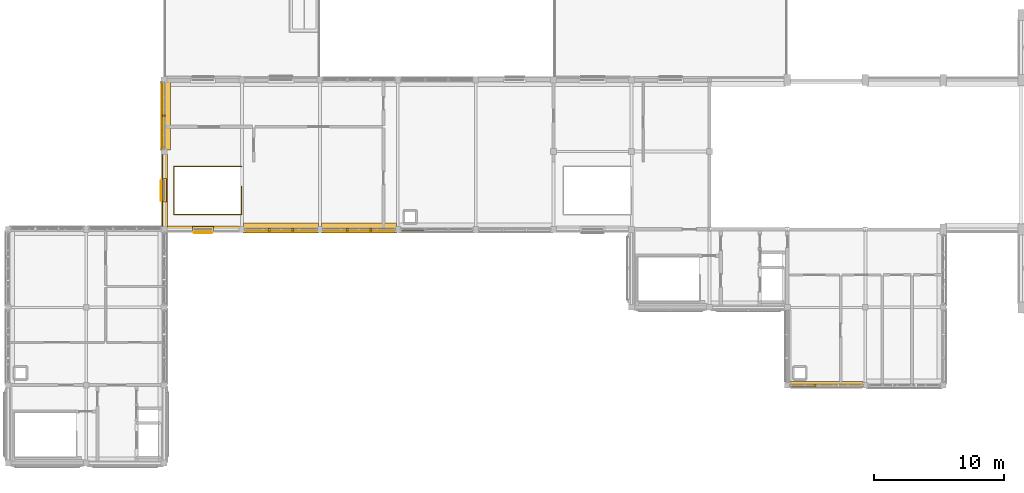
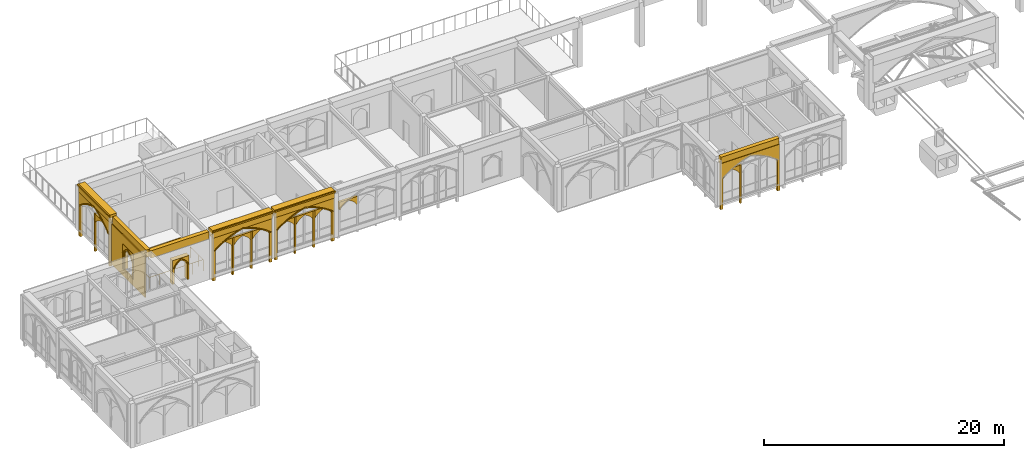
# One storey, part 49 of 59: 36 coverings, 1 railing.
"""IFC4 building model written with IfcOpenShell, lengths in metres."""

from ifc_helpers import new_model, si_unit, direction, frame, origin, origin_2d, place, context, subcontext, project, spatial, polyline, rectangle, circle, outline, extrude, material, type_object, element, save


model = new_model("IFC4")

# Units and contexts
model_context = context("Model", 3, precision=1e-05, world=origin(), true_north=direction((0.0, 1.0)))
body_context = subcontext(model_context, "Body", "Model", "MODEL_VIEW")
ifc_project = project(units=[si_unit("LENGTHUNIT", "METRE"), si_unit("AREAUNIT", "SQUARE_METRE"), si_unit("VOLUMEUNIT", "CUBIC_METRE"), si_unit("PLANEANGLEUNIT", "RADIAN"), si_unit("MASSUNIT", "GRAM", prefix="KILO")], contexts=[model_context])

# Site, building, storey
site_placement = place(None, origin())
site = spatial("IfcSite", under=ifc_project, at=site_placement, CompositionType="ELEMENT")
building_placement = place(site_placement, origin())
building = spatial("IfcBuilding", under=site, at=building_placement, Name="Cumevento Cable Car Station", CompositionType="ELEMENT")
storey_placement = place(building_placement, frame((0.0, 0.0, 18.0)))
storey = spatial("IfcBuildingStorey", under=building, at=storey_placement, Name="L05", CompositionType="ELEMENT", Elevation=18.0)

# Railing
ifc_material_1 = material(Name="Painted Galvanised Architectural Steel", Category="steel")
railing_type = type_object("IfcRailingType", Name="Stair Guardrail GR-S115", PredefinedType="GUARDRAIL", material=ifc_material_1)
railing_placement = place(storey_placement, frame((27.949951171875, 48.300048828125, 0.0)))
element("IfcRailing", 1, at=railing_placement, inside=storey, type_object=railing_type, Name="Stairwell Opening Rim Guard ST-12 L05", PredefinedType="GUARDRAIL", context=body_context, shape_type="SweptSolid", body=[
    extrude(circle(Radius=0.02392578125, at=origin_2d()), frame((0.0, 0.0, 1.1259765625), z_axis=(0.0, -1.0, 0.0), x_axis=(1.0, 0.0, 0.0)), (0.0, 0.0, 1.0), 2.150146484375),
    extrude(circle(Radius=0.02392578125, at=origin_2d()), frame((0.0, -2.150146484375, 1.1259765625), z_axis=(-1.0, 0.0, 0.0), x_axis=(0.0, -1.0, 0.0)), (0.0, 0.0, 1.0), 5.199951171875),
    extrude(circle(Radius=0.02392578125, at=origin_2d()), frame((-5.199951171875, -2.150146484375, 1.1259765625), z_axis=(0.0, 1.0, 0.0), x_axis=(-1.0, 0.0, 0.0)), (0.0, 0.0, 1.0), 3.7001953125),
    extrude(circle(Radius=0.02392578125, at=origin_2d()), frame((-5.199951171875, 1.550048828125, 1.1259765625), z_axis=(1.0, 0.0, 0.0), x_axis=(0.0, 1.0, 0.0)), (0.0, 0.0, 1.0), 5.199951171875),
    extrude(circle(Radius=0.02001953125, at=origin_2d()), origin(), (0.0, 0.0, 1.0), 1.101806640625),
    extrude(circle(Radius=0.02001953125, at=origin_2d()), frame((0.0, -0.716796875, 0.0)), (0.0, 0.0, 1.0), 1.101806640625),
    extrude(circle(Radius=0.02001953125, at=origin_2d()), frame((0.0, -1.433349609375, 0.0)), (0.0, 0.0, 1.0), 1.101806640625),
    extrude(circle(Radius=0.02001953125, at=origin_2d()), frame((0.0, -2.150146484375, 0.0)), (0.0, 0.0, 1.0), 1.101806640625),
    extrude(circle(Radius=0.02001953125, at=origin_2d()), frame((-1.0400390625, -2.150146484375, 0.0)), (0.0, 0.0, 1.0), 1.101806640625),
    extrude(circle(Radius=0.02001953125, at=origin_2d()), frame((-2.080078125, -2.150146484375, 0.0)), (0.0, 0.0, 1.0), 1.101806640625),
    extrude(circle(Radius=0.02001953125, at=origin_2d()), frame((-3.119873046875, -2.150146484375, 0.0)), (0.0, 0.0, 1.0), 1.101806640625),
    extrude(circle(Radius=0.02001953125, at=origin_2d()), frame((-4.159912109375, -2.150146484375, 0.0)), (0.0, 0.0, 1.0), 1.101806640625),
    extrude(circle(Radius=0.02001953125, at=origin_2d()), frame((-5.199951171875, -2.150146484375, 0.0)), (0.0, 0.0, 1.0), 1.101806640625),
    extrude(circle(Radius=0.02001953125, at=origin_2d()), frame((-5.199951171875, -1.22509765625, 0.0)), (0.0, 0.0, 1.0), 1.101806640625),
    extrude(circle(Radius=0.02001953125, at=origin_2d()), frame((-5.199951171875, -0.300048828125, 0.0)), (0.0, 0.0, 1.0), 1.101806640625),
    extrude(circle(Radius=0.02001953125, at=origin_2d()), frame((-5.199951171875, 0.625, 0.0)), (0.0, 0.0, 1.0), 1.101806640625),
    extrude(circle(Radius=0.02001953125, at=origin_2d()), frame((-5.199951171875, 1.550048828125, 0.0)), (0.0, 0.0, 1.0), 1.101806640625),
    extrude(circle(Radius=0.02001953125, at=origin_2d()), frame((-4.159912109375, 1.550048828125, 0.0)), (0.0, 0.0, 1.0), 1.101806640625),
    extrude(circle(Radius=0.02001953125, at=origin_2d()), frame((-3.119873046875, 1.550048828125, 0.0)), (0.0, 0.0, 1.0), 1.101806640625),
    extrude(circle(Radius=0.02001953125, at=origin_2d()), frame((-2.080078125, 1.550048828125, 0.0)), (0.0, 0.0, 1.0), 1.101806640625),
    extrude(circle(Radius=0.02001953125, at=origin_2d()), frame((-1.0400390625, 1.550048828125, 0.0)), (0.0, 0.0, 1.0), 1.101806640625),
    extrude(circle(Radius=0.02001953125, at=origin_2d()), frame((0.0, 1.550048828125, 0.0)), (0.0, 0.0, 1.0), 1.101806640625),
])

# Coverings
ifc_material_2 = material(Name="Gnaisse Facoidal Stone Ashlar 85 MPa", Category="masonry")
covering_type = type_object("IfcCoveringType", Name="Gnaisse Ashlar Cladding CV-CL01", PredefinedType="CLADDING", material=ifc_material_2)
for number, where, z_axis, x_axis, name in (
    (2, (73.0, 33.090087890625, 4.032958984375), (0.0, 0.0, 1.0), (-1.0, 0.0, 0.0), "Gothic Stone Spandrel Stringcourse sc:0781"),
    (3, (25.0, 45.090087890625, 4.032958984375), (0.0, 0.0, 1.0), (-1.0, 0.0, 0.0), "Gothic Stone Spandrel Stringcourse sc:0796"),
):
    element("IfcCovering", number, at=place(storey_placement, frame(where, z_axis=z_axis, x_axis=x_axis)), inside=storey, type_object=covering_type, Name=name, PredefinedType="CLADDING", context=body_context, shape_type="SweptSolid", body=[
        extrude(rectangle(XDim=5.610107421875, YDim=0.3798828125, at=origin_2d()), origin(), (0.0, 0.0, 1.0), 0.7470703125),
    ])
covering_1_placement = place(storey_placement, frame((31.0, 45.14990234375, 4.032958984375), z_axis=(0.0, 0.0, 1.0), x_axis=(-1.0, 0.0, 0.0)))
element("IfcCovering", 4, at=covering_1_placement, inside=storey, type_object=covering_type, Name="Gothic Stone Spandrel Stringcourse sc:0797", PredefinedType="CLADDING", context=body_context, shape_type="SweptSolid", body=[
    extrude(rectangle(XDim=5.7900390625, YDim=0.659912109375, at=origin_2d()), origin(), (0.0, 0.0, 1.0), 0.7470703125),
])
covering_2_placement = place(storey_placement, frame((31.0, 44.79248046875, 4.650146484375), z_axis=(0.0, 0.0, 1.0), x_axis=(-1.0, 0.0, 0.0)))
element("IfcCovering", 5, at=covering_2_placement, inside=storey, type_object=covering_type, Name="Gothic Cornice Dripstone Lip sc:0797", PredefinedType="CLADDING", context=body_context, shape_type="SweptSolid", body=[
    extrude(rectangle(XDim=5.830078125, YDim=0.114990234375, at=origin_2d()), origin(), (0.0, 0.0, 1.0), 0.1298828125),
])
covering_3_placement = place(storey_placement, frame((37.0, 45.14990234375, 4.032958984375), z_axis=(0.0, 0.0, 1.0), x_axis=(-1.0, 0.0, 0.0)))
element("IfcCovering", 6, at=covering_3_placement, inside=storey, type_object=covering_type, Name="Gothic Stone Spandrel Stringcourse sc:0798", PredefinedType="CLADDING", context=body_context, shape_type="SweptSolid", body=[
    extrude(rectangle(XDim=5.7900390625, YDim=0.659912109375, at=origin_2d()), origin(), (0.0, 0.0, 1.0), 0.7470703125),
])
covering_4_placement = place(storey_placement, frame((37.0, 44.79248046875, 4.650146484375), z_axis=(0.0, 0.0, 1.0), x_axis=(-1.0, 0.0, 0.0)))
element("IfcCovering", 7, at=covering_4_placement, inside=storey, type_object=covering_type, Name="Gothic Cornice Dripstone Lip sc:0798", PredefinedType="CLADDING", context=body_context, shape_type="SweptSolid", body=[
    extrude(rectangle(XDim=5.830078125, YDim=0.114990234375, at=origin_2d()), origin(), (0.0, 0.0, 1.0), 0.1298828125),
])
covering_5_placement = place(storey_placement, frame((22.090087890625, 48.0, 4.032958984375), z_axis=(0.0, 0.0, 1.0), x_axis=(0.0, 1.0, 0.0)))
element("IfcCovering", 8, at=covering_5_placement, inside=storey, type_object=covering_type, Name="Gothic Stone Spandrel Stringcourse sc:0806", PredefinedType="CLADDING", context=body_context, shape_type="SweptSolid", body=[
    extrude(rectangle(XDim=5.610107421875, YDim=0.3798828125, at=origin_2d()), origin(), (0.0, 0.0, 1.0), 0.7470703125),
])
covering_6_placement = place(storey_placement, frame((22.14990234375, 53.75, 4.032958984375), z_axis=(0.0, 0.0, 1.0), x_axis=(0.0, 1.0, 0.0)))
element("IfcCovering", 9, at=covering_6_placement, inside=storey, type_object=covering_type, Name="Gothic Stone Spandrel Stringcourse sc:0807", PredefinedType="CLADDING", context=body_context, shape_type="SweptSolid", body=[
    extrude(rectangle(XDim=5.2900390625, YDim=0.659912109375, at=origin_2d()), origin(), (0.0, 0.0, 1.0), 0.7470703125),
])
covering_7_placement = place(storey_placement, frame((21.79248046875, 53.75, 4.650146484375), z_axis=(0.0, 0.0, 1.0), x_axis=(0.0, 1.0, 0.0)))
element("IfcCovering", 10, at=covering_7_placement, inside=storey, type_object=covering_type, Name="Gothic Cornice Dripstone Lip sc:0807", PredefinedType="CLADDING", context=body_context, shape_type="SweptSolid", body=[
    extrude(rectangle(XDim=5.330078125, YDim=0.114990234375, at=origin_2d()), origin(), (0.0, 0.0, 1.0), 0.1298828125),
])
placement_1 = place(storey_placement, frame((75.77490234375, 33.0, -0.52001953125), z_axis=(0.0, 0.0, 1.0), x_axis=(-1.0, 0.0, 0.0)))
element("IfcCovering", 11, at=placement_1, inside=storey, type_object=covering_type, Name="Gothic Ogival Pointed-Arch Stone Spandrel cw_ogival:0192", PredefinedType="CLADDING", context=body_context, shape_type="SweptSolid", body=[
    extrude(outline(polyline([(-0.080078125, 0.0), (-0.080078125, 4.693115234375), (5.6298828125, 4.693115234375), (5.6298828125, 0.0), (5.389892578125, 0.0), (5.389892578125, 3.197021484375), (5.096435546875, 3.41796875), (4.79150390625, 3.623291015625), (4.476318359375, 3.81201171875), (4.1513671875, 3.98388671875), (3.81787109375, 4.13818359375), (3.476806640625, 4.27490234375), (3.128662109375, 4.39306640625), (2.77490234375, 4.492919921875), (2.42138671875, 4.39306640625), (2.0732421875, 4.27490234375), (1.732177734375, 4.13818359375), (1.398681640625, 3.98388671875), (1.07373046875, 3.81201171875), (0.758544921875, 3.623291015625), (0.45361328125, 3.41796875), (0.159912109375, 3.197021484375), (0.159912109375, 0.0), (-0.080078125, 0.0)])), frame((0.0, 0.139892578125, 0.0), z_axis=(0.0, -1.0, 0.0), x_axis=(1.0, 0.0, 0.0)), (0.0, 0.0, 1.0), 0.219970703125),
])
element("IfcCovering", 12, at=placement_1, inside=storey, type_object=covering_type, Name="Gothic Bifora Stone Colonnette cw_ogival:0192 #2", PredefinedType="CLADDING", context=body_context, shape_type="SweptSolid", body=[
    extrude(outline(polyline([(3.5966796875, -0.02001953125), (3.74658203125, -0.02001953125), (3.74658203125, 3.87109375), (3.5966796875, 3.87109375), (3.5966796875, -0.02001953125)])), frame((0.0, 0.1279296875, 0.0), z_axis=(0.0, -1.0, 0.0), x_axis=(1.0, 0.0, 0.0)), (0.0, 0.0, 1.0), 0.205078125),
])
covering_10_placement = place(storey_placement, frame((72.058349609375, 33.0, 2.4970703125), z_axis=(0.0, 0.0, 1.0), x_axis=(-1.0, 0.0, 0.0)))
element("IfcCovering", 13, at=covering_10_placement, inside=storey, type_object=covering_type, Name="Gothic Ogival Pointed-Arch Stone Spandrel cw_ogival:0192:sub:2", PredefinedType="CLADDING", context=body_context, shape_type="SweptSolid", body=[
    extrude(outline(polyline([(-0.02001953125, 0.0), (-0.02001953125, 0.85400390625), (1.723388671875, 0.85400390625), (1.723388671875, 0.0), (1.663330078125, 0.0), (1.565673828125, 0.157958984375), (1.45068359375, 0.303955078125), (1.320068359375, 0.436279296875), (1.175537109375, 0.552978515625), (1.018798828125, 0.652587890625), (0.8515625, 0.73388671875), (0.6845703125, 0.652587890625), (0.52783203125, 0.552978515625), (0.38330078125, 0.436279296875), (0.252685546875, 0.303955078125), (0.1376953125, 0.157958984375), (0.0400390625, 0.0), (-0.02001953125, 0.0)])), frame((0.0, 0.1240234375, 0.0), z_axis=(0.0, -1.0, 0.0), x_axis=(1.0, 0.0, 0.0)), (0.0, 0.0, 1.0), 0.199951171875),
])
placement_2 = place(storey_placement, frame((33.77490234375, 45.0, -0.3701171875), z_axis=(0.0, 0.0, 1.0), x_axis=(-1.0, 0.0, 0.0)))
element("IfcCovering", 14, at=placement_2, inside=storey, type_object=covering_type, Name="Gothic Ogival Pointed-Arch Stone Spandrel cw_ogival:0203", PredefinedType="CLADDING", context=body_context, shape_type="SweptSolid", body=[
    extrude(outline(polyline([(-0.080078125, 0.0), (-0.080078125, 4.54296875), (5.6298828125, 4.54296875), (5.6298828125, 0.0), (5.389892578125, 0.0), (5.389892578125, 3.10107421875), (5.093994140625, 3.313232421875), (4.787353515625, 3.51025390625), (4.47119140625, 3.691162109375), (4.14599609375, 3.855712890625), (3.81298828125, 4.003662109375), (3.472900390625, 4.13427734375), (3.126708984375, 4.24755859375), (2.77490234375, 4.343017578125), (2.42333984375, 4.24755859375), (2.0771484375, 4.13427734375), (1.737060546875, 4.003662109375), (1.404052734375, 3.855712890625), (1.078857421875, 3.691162109375), (0.7626953125, 3.51025390625), (0.4560546875, 3.313232421875), (0.159912109375, 3.10107421875), (0.159912109375, 0.0), (-0.080078125, 0.0)])), frame((0.0, 0.139892578125, 0.0), z_axis=(0.0, -1.0, 0.0), x_axis=(1.0, 0.0, 0.0)), (0.0, 0.0, 1.0), 0.219970703125),
])
covering_12_placement = place(storey_placement, frame((33.77490234375, 45.0, 2.731201171875), z_axis=(0.0, 0.0, 1.0), x_axis=(-1.0, 0.0, 0.0)))
element("IfcCovering", 15, at=covering_12_placement, inside=storey, type_object=covering_type, Name="Gothic Pointed Archivolt Hood Moulding cw_ogival:0203", PredefinedType="CLADDING", context=body_context, shape_type="SweptSolid", body=[
    extrude(outline(polyline([(0.159912109375, 0.0), (0.4560546875, 0.212158203125), (0.7626953125, 0.4091796875), (1.078857421875, 0.590087890625), (1.404052734375, 0.754638671875), (1.737060546875, 0.902587890625), (2.0771484375, 1.033203125), (2.42333984375, 1.146484375), (2.77490234375, 1.241943359375), (3.126708984375, 1.146484375), (3.472900390625, 1.033203125), (3.81298828125, 0.902587890625), (4.14599609375, 0.754638671875), (4.47119140625, 0.590087890625), (4.787353515625, 0.4091796875), (5.093994140625, 0.212158203125), (5.389892578125, 0.0), (5.5, 0.0), (5.195556640625, 0.235107421875), (4.878662109375, 0.453369140625), (4.550537109375, 0.654296875), (4.212158203125, 0.837158203125), (3.864501953125, 1.00146484375), (3.50830078125, 1.14697265625), (3.144775390625, 1.273193359375), (2.77490234375, 1.37939453125), (2.4052734375, 1.273193359375), (2.041748046875, 1.14697265625), (1.685546875, 1.00146484375), (1.337890625, 0.837158203125), (0.99951171875, 0.654296875), (0.67138671875, 0.453369140625), (0.3544921875, 0.235107421875), (0.050048828125, 0.0), (0.159912109375, 0.0)])), frame((0.0, 0.181884765625, 0.0), z_axis=(0.0, -1.0, 0.0), x_axis=(1.0, 0.0, 0.0)), (0.0, 0.0, 1.0), 0.06689453125),
])
element("IfcCovering", 16, at=placement_2, inside=storey, type_object=covering_type, Name="Gothic Bifora Stone Colonnette cw_ogival:0203 #1", PredefinedType="CLADDING", context=body_context, shape_type="SweptSolid", body=[
    extrude(outline(polyline([(1.80322265625, -0.02001953125), (1.953369140625, -0.02001953125), (1.953369140625, 3.746826171875), (1.80322265625, 3.746826171875), (1.80322265625, -0.02001953125)])), frame((0.0, 0.1279296875, 0.0), z_axis=(0.0, -1.0, 0.0), x_axis=(1.0, 0.0, 0.0)), (0.0, 0.0, 1.0), 0.205078125),
])
element("IfcCovering", 17, at=placement_2, inside=storey, type_object=covering_type, Name="Gothic Bifora Stone Colonnette cw_ogival:0203 #2", PredefinedType="CLADDING", context=body_context, shape_type="SweptSolid", body=[
    extrude(outline(polyline([(3.5966796875, -0.02001953125), (3.74658203125, -0.02001953125), (3.74658203125, 3.746826171875), (3.5966796875, 3.746826171875), (3.5966796875, -0.02001953125)])), frame((0.0, 0.1279296875, 0.0), z_axis=(0.0, -1.0, 0.0), x_axis=(1.0, 0.0, 0.0)), (0.0, 0.0, 1.0), 0.205078125),
])
for number, where, z_axis, x_axis, name in (
    (18, (33.64501953125, 45.0, 2.551025390625), (0.0, 0.0, 1.0), (-1.0, 0.0, 0.0), "Gothic Ogival Pointed-Arch Stone Spandrel cw_ogival:0203:sub:0"),
    (19, (31.8515625, 45.0, 2.551025390625), (0.0, 0.0, 1.0), (-1.0, 0.0, 0.0), "Gothic Ogival Pointed-Arch Stone Spandrel cw_ogival:0203:sub:1"),
    (20, (30.058349609375, 45.0, 2.551025390625), (0.0, 0.0, 1.0), (-1.0, 0.0, 0.0), "Gothic Ogival Pointed-Arch Stone Spandrel cw_ogival:0203:sub:2"),
):
    element("IfcCovering", number, at=place(storey_placement, frame(where, z_axis=z_axis, x_axis=x_axis)), inside=storey, type_object=covering_type, Name=name, PredefinedType="CLADDING", context=body_context, shape_type="SweptSolid", body=[
        extrude(outline(polyline([(-0.02001953125, 0.0), (-0.02001953125, 0.82568359375), (1.723388671875, 0.82568359375), (1.723388671875, 0.0), (1.663330078125, 0.0), (1.563232421875, 0.152587890625), (1.447021484375, 0.293212890625), (1.316162109375, 0.42041015625), (1.172119140625, 0.5322265625), (1.0166015625, 0.6279296875), (0.8515625, 0.705810546875), (0.686767578125, 0.6279296875), (0.53125, 0.5322265625), (0.38720703125, 0.42041015625), (0.25634765625, 0.293212890625), (0.14013671875, 0.152587890625), (0.0400390625, 0.0), (-0.02001953125, 0.0)])), frame((0.0, 0.1240234375, 0.0), z_axis=(0.0, -1.0, 0.0), x_axis=(1.0, 0.0, 0.0)), (0.0, 0.0, 1.0), 0.199951171875),
    ])
placement_3 = place(storey_placement, frame((39.77490234375, 45.0, -0.320068359375), z_axis=(0.0, 0.0, 1.0), x_axis=(-1.0, 0.0, 0.0)))
element("IfcCovering", 21, at=placement_3, inside=storey, type_object=covering_type, Name="Gothic Ogival Pointed-Arch Stone Spandrel cw_ogival:0204", PredefinedType="CLADDING", context=body_context, shape_type="SweptSolid", body=[
    extrude(outline(polyline([(-0.080078125, 0.0), (-0.080078125, 4.492919921875), (5.6298828125, 4.492919921875), (5.6298828125, 0.0), (5.389892578125, 0.0), (5.389892578125, 3.069091796875), (5.093017578125, 3.2783203125), (4.785888671875, 3.472412109375), (4.469482421875, 3.65087890625), (4.144287109375, 3.813232421875), (3.8115234375, 3.958740234375), (3.4716796875, 4.087646484375), (3.1259765625, 4.198974609375), (2.77490234375, 4.29296875), (2.424072265625, 4.198974609375), (2.078369140625, 4.087646484375), (1.738525390625, 3.958740234375), (1.40576171875, 3.813232421875), (1.08056640625, 3.65087890625), (0.76416015625, 3.472412109375), (0.45703125, 3.2783203125), (0.159912109375, 3.069091796875), (0.159912109375, 0.0), (-0.080078125, 0.0)])), frame((0.0, 0.139892578125, 0.0), z_axis=(0.0, -1.0, 0.0), x_axis=(1.0, 0.0, 0.0)), (0.0, 0.0, 1.0), 0.219970703125),
])
covering_16_placement = place(storey_placement, frame((39.77490234375, 45.0, 2.7490234375), z_axis=(0.0, 0.0, 1.0), x_axis=(-1.0, 0.0, 0.0)))
element("IfcCovering", 22, at=covering_16_placement, inside=storey, type_object=covering_type, Name="Gothic Pointed Archivolt Hood Moulding cw_ogival:0204", PredefinedType="CLADDING", context=body_context, shape_type="SweptSolid", body=[
    extrude(outline(polyline([(0.159912109375, 0.0), (0.45703125, 0.209228515625), (0.76416015625, 0.4033203125), (1.08056640625, 0.581787109375), (1.40576171875, 0.744140625), (1.738525390625, 0.8896484375), (2.078369140625, 1.0185546875), (2.424072265625, 1.1298828125), (2.77490234375, 1.223876953125), (3.1259765625, 1.1298828125), (3.4716796875, 1.0185546875), (3.8115234375, 0.8896484375), (4.144287109375, 0.744140625), (4.469482421875, 0.581787109375), (4.785888671875, 0.4033203125), (5.093017578125, 0.209228515625), (5.389892578125, 0.0), (5.5, 0.0), (5.194580078125, 0.232177734375), (4.877197265625, 0.447509765625), (4.548828125, 0.64599609375), (4.21044921875, 0.826416015625), (3.86279296875, 0.98876953125), (3.507080078125, 1.132080078125), (3.14404296875, 1.256591796875), (2.77490234375, 1.361328125), (2.406005859375, 1.256591796875), (2.04296875, 1.132080078125), (1.687255859375, 0.98876953125), (1.339599609375, 0.826416015625), (1.001220703125, 0.64599609375), (0.6728515625, 0.447509765625), (0.35546875, 0.232177734375), (0.050048828125, 0.0), (0.159912109375, 0.0)])), frame((0.0, 0.181884765625, 0.0), z_axis=(0.0, -1.0, 0.0), x_axis=(1.0, 0.0, 0.0)), (0.0, 0.0, 1.0), 0.06689453125),
])
element("IfcCovering", 23, at=placement_3, inside=storey, type_object=covering_type, Name="Gothic Bifora Stone Colonnette cw_ogival:0204 #1", PredefinedType="CLADDING", context=body_context, shape_type="SweptSolid", body=[
    extrude(outline(polyline([(1.80322265625, -0.02001953125), (1.953369140625, -0.02001953125), (1.953369140625, 3.70556640625), (1.80322265625, 3.70556640625), (1.80322265625, -0.02001953125)])), frame((0.0, 0.1279296875, 0.0), z_axis=(0.0, -1.0, 0.0), x_axis=(1.0, 0.0, 0.0)), (0.0, 0.0, 1.0), 0.205078125),
])
element("IfcCovering", 24, at=placement_3, inside=storey, type_object=covering_type, Name="Gothic Bifora Stone Colonnette cw_ogival:0204 #2", PredefinedType="CLADDING", context=body_context, shape_type="SweptSolid", body=[
    extrude(outline(polyline([(3.5966796875, -0.02001953125), (3.74658203125, -0.02001953125), (3.74658203125, 3.70556640625), (3.5966796875, 3.70556640625), (3.5966796875, -0.02001953125)])), frame((0.0, 0.1279296875, 0.0), z_axis=(0.0, -1.0, 0.0), x_axis=(1.0, 0.0, 0.0)), (0.0, 0.0, 1.0), 0.205078125),
])
for number, where, z_axis, x_axis, name in (
    (25, (39.64501953125, 45.0, 2.569091796875), (0.0, 0.0, 1.0), (-1.0, 0.0, 0.0), "Gothic Ogival Pointed-Arch Stone Spandrel cw_ogival:0204:sub:0"),
    (26, (37.8515625, 45.0, 2.569091796875), (0.0, 0.0, 1.0), (-1.0, 0.0, 0.0), "Gothic Ogival Pointed-Arch Stone Spandrel cw_ogival:0204:sub:1"),
    (27, (36.058349609375, 45.0, 2.569091796875), (0.0, 0.0, 1.0), (-1.0, 0.0, 0.0), "Gothic Ogival Pointed-Arch Stone Spandrel cw_ogival:0204:sub:2"),
):
    element("IfcCovering", number, at=place(storey_placement, frame(where, z_axis=z_axis, x_axis=x_axis)), inside=storey, type_object=covering_type, Name=name, PredefinedType="CLADDING", context=body_context, shape_type="SweptSolid", body=[
        extrude(outline(polyline([(-0.02001953125, 0.0), (-0.02001953125, 0.81640625), (1.723388671875, 0.81640625), (1.723388671875, 0.0), (1.663330078125, 0.0), (1.5625, 0.150634765625), (1.44580078125, 0.28955078125), (1.31494140625, 0.4150390625), (1.1708984375, 0.525390625), (1.01611328125, 0.61962890625), (0.8515625, 0.6962890625), (0.687255859375, 0.61962890625), (0.532470703125, 0.525390625), (0.388427734375, 0.4150390625), (0.257568359375, 0.28955078125), (0.140869140625, 0.150634765625), (0.0400390625, 0.0), (-0.02001953125, 0.0)])), frame((0.0, 0.1240234375, 0.0), z_axis=(0.0, -1.0, 0.0), x_axis=(1.0, 0.0, 0.0)), (0.0, 0.0, 1.0), 0.199951171875),
    ])
covering_19_placement = place(storey_placement, frame((42.058349609375, 45.0, 2.60498046875), z_axis=(0.0, 0.0, 1.0), x_axis=(-1.0, 0.0, 0.0)))
element("IfcCovering", 28, at=covering_19_placement, inside=storey, type_object=covering_type, Name="Gothic Ogival Pointed-Arch Stone Spandrel cw_ogival:0206:sub:2", PredefinedType="CLADDING", context=body_context, shape_type="SweptSolid", body=[
    extrude(outline(polyline([(-0.02001953125, 0.0), (-0.02001953125, 0.797607421875), (1.723388671875, 0.797607421875), (1.723388671875, 0.0), (1.663330078125, 0.0), (1.56103515625, 0.14697265625), (1.443359375, 0.2822265625), (1.312255859375, 0.404296875), (1.168701171875, 0.51171875), (1.0146484375, 0.603271484375), (0.8515625, 0.677734375), (0.688720703125, 0.603271484375), (0.53466796875, 0.51171875), (0.39111328125, 0.404296875), (0.260009765625, 0.2822265625), (0.142333984375, 0.14697265625), (0.0400390625, 0.0), (-0.02001953125, 0.0)])), frame((0.0, 0.1240234375, 0.0), z_axis=(0.0, -1.0, 0.0), x_axis=(1.0, 0.0, 0.0)), (0.0, 0.0, 1.0), 0.199951171875),
])
placement_4 = place(storey_placement, frame((22.0, 51.22509765625, -0.469970703125), z_axis=(0.0, 0.0, 1.0), x_axis=(0.0, 1.0, 0.0)))
element("IfcCovering", 29, at=placement_4, inside=storey, type_object=covering_type, Name="Gothic Ogival Pointed-Arch Stone Spandrel cw_ogival:0209", PredefinedType="CLADDING", context=body_context, shape_type="SweptSolid", body=[
    extrude(outline(polyline([(-0.080078125, 0.0), (-0.080078125, 4.64306640625), (5.1298828125, 4.64306640625), (5.1298828125, 0.0), (4.889892578125, 0.0), (4.889892578125, 3.1650390625), (4.629638671875, 3.382080078125), (4.357421875, 3.583740234375), (4.07421875, 3.769775390625), (3.78076171875, 3.939208984375), (3.47802734375, 4.091796875), (3.167236328125, 4.22705078125), (2.84912109375, 4.343994140625), (2.52490234375, 4.44287109375), (2.200927734375, 4.343994140625), (1.8828125, 4.22705078125), (1.572021484375, 4.091796875), (1.269287109375, 3.939208984375), (0.975830078125, 3.769775390625), (0.692626953125, 3.583740234375), (0.42041015625, 3.382080078125), (0.159912109375, 3.1650390625), (0.159912109375, 0.0), (-0.080078125, 0.0)])), frame((0.0, 0.139892578125, 0.0), z_axis=(0.0, -1.0, 0.0), x_axis=(1.0, 0.0, 0.0)), (0.0, 0.0, 1.0), 0.219970703125),
])
covering_21_placement = place(storey_placement, frame((22.0, 51.22509765625, 2.695068359375), z_axis=(0.0, 0.0, 1.0), x_axis=(0.0, 1.0, 0.0)))
element("IfcCovering", 30, at=covering_21_placement, inside=storey, type_object=covering_type, Name="Gothic Pointed Archivolt Hood Moulding cw_ogival:0209", PredefinedType="CLADDING", context=body_context, shape_type="SweptSolid", body=[
    extrude(outline(polyline([(0.159912109375, 0.0), (0.42041015625, 0.217041015625), (0.692626953125, 0.418701171875), (0.975830078125, 0.604736328125), (1.269287109375, 0.774169921875), (1.572021484375, 0.9267578125), (1.8828125, 1.06201171875), (2.200927734375, 1.178955078125), (2.52490234375, 1.27783203125), (2.84912109375, 1.178955078125), (3.167236328125, 1.06201171875), (3.47802734375, 0.9267578125), (3.78076171875, 0.774169921875), (4.07421875, 0.604736328125), (4.357421875, 0.418701171875), (4.629638671875, 0.217041015625), (4.889892578125, 0.0), (5.0, 0.0), (4.731689453125, 0.239501953125), (4.449462890625, 0.462646484375), (4.154296875, 0.66845703125), (3.847412109375, 0.856201171875), (3.530029296875, 1.025390625), (3.202880859375, 1.17529296875), (2.86767578125, 1.305419921875), (2.52490234375, 1.415283203125), (2.182373046875, 1.305419921875), (1.84716796875, 1.17529296875), (1.52001953125, 1.025390625), (1.20263671875, 0.856201171875), (0.895751953125, 0.66845703125), (0.6005859375, 0.462646484375), (0.318359375, 0.239501953125), (0.050048828125, 0.0), (0.159912109375, 0.0)])), frame((0.0, 0.181884765625, 0.0), z_axis=(0.0, -1.0, 0.0), x_axis=(1.0, 0.0, 0.0)), (0.0, 0.0, 1.0), 0.06689453125),
])
element("IfcCovering", 31, at=placement_4, inside=storey, type_object=covering_type, Name="Gothic Bifora Stone Colonnette cw_ogival:0209 #1", PredefinedType="CLADDING", context=body_context, shape_type="SweptSolid", body=[
    extrude(outline(polyline([(2.449951171875, -0.02001953125), (2.60009765625, -0.02001953125), (2.60009765625, 3.82958984375), (2.449951171875, 3.82958984375), (2.449951171875, -0.02001953125)])), frame((0.0, 0.1279296875, 0.0), z_axis=(0.0, -1.0, 0.0), x_axis=(1.0, 0.0, 0.0)), (0.0, 0.0, 1.0), 0.205078125),
])
covering_23_placement = place(storey_placement, frame((22.0, 51.35498046875, 2.51513671875), z_axis=(0.0, 0.0, 1.0), x_axis=(0.0, 1.0, 0.0)))
element("IfcCovering", 32, at=covering_23_placement, inside=storey, type_object=covering_type, Name="Gothic Ogival Pointed-Arch Stone Spandrel cw_ogival:0209:sub:0", PredefinedType="CLADDING", context=body_context, shape_type="SweptSolid", body=[
    extrude(outline(polyline([(-0.02001953125, 0.0), (-0.02001953125, 0.844482421875), (2.3701171875, 0.844482421875), (2.3701171875, 0.0), (2.31005859375, 0.0), (2.149658203125, 0.16064453125), (1.97607421875, 0.306640625), (1.790283203125, 0.436767578125), (1.59375, 0.550537109375), (1.38818359375, 0.646728515625), (1.175048828125, 0.724609375), (0.9619140625, 0.646728515625), (0.75634765625, 0.550537109375), (0.559814453125, 0.436767578125), (0.3740234375, 0.306640625), (0.200439453125, 0.16064453125), (0.0400390625, 0.0), (-0.02001953125, 0.0)])), frame((0.0, 0.1240234375, 0.0), z_axis=(0.0, -1.0, 0.0), x_axis=(1.0, 0.0, 0.0)), (0.0, 0.0, 1.0), 0.199951171875),
])
covering_24_placement = place(storey_placement, frame((25.764892578125, 45.0, 0.75), z_axis=(0.0, 0.0, 1.0), x_axis=(-1.0, 0.0, 0.0)))
element("IfcCovering", 33, at=covering_24_placement, inside=storey, type_object=covering_type, Name="Gothic Ogival Pointed-Arch Stone Spandrel op_ogival:0302:1", PredefinedType="CLADDING", context=body_context, shape_type="SweptSolid", body=[
    extrude(outline(polyline([(-0.0400390625, 0.0), (-0.0400390625, 2.419921875), (1.570068359375, 2.419921875), (1.570068359375, 0.0), (1.389892578125, 0.0), (1.389892578125, 1.597900390625), (1.332275390625, 1.71533203125), (1.262451171875, 1.826416015625), (1.181640625, 1.92919921875), (1.09033203125, 2.022705078125), (0.98974609375, 2.1064453125), (0.880859375, 2.17919921875), (0.764892578125, 2.239990234375), (0.649169921875, 2.17919921875), (0.540283203125, 2.1064453125), (0.439697265625, 2.022705078125), (0.348388671875, 1.92919921875), (0.267578125, 1.826416015625), (0.19775390625, 1.71533203125), (0.139892578125, 1.597900390625), (0.139892578125, 0.0), (-0.0400390625, 0.0)])), frame((0.0, 0.2529296875, 0.0), z_axis=(0.0, -1.0, 0.0), x_axis=(1.0, 0.0, 0.0)), (0.0, 0.0, 1.0), 0.4599609375),
])
covering_25_placement = place(storey_placement, frame((25.764892578125, 45.0, 2.347900390625), z_axis=(0.0, 0.0, 1.0), x_axis=(-1.0, 0.0, 0.0)))
element("IfcCovering", 34, at=covering_25_placement, inside=storey, type_object=covering_type, Name="Gothic Pointed Archivolt Hood Moulding op_ogival:0302:1", PredefinedType="CLADDING", context=body_context, shape_type="SweptSolid", body=[
    extrude(outline(polyline([(0.139892578125, 0.0), (0.19775390625, 0.117431640625), (0.267578125, 0.228271484375), (0.348388671875, 0.3310546875), (0.439697265625, 0.4248046875), (0.540283203125, 0.508544921875), (0.649169921875, 0.5810546875), (0.764892578125, 0.64208984375), (0.880859375, 0.5810546875), (0.98974609375, 0.508544921875), (1.09033203125, 0.4248046875), (1.181640625, 0.3310546875), (1.262451171875, 0.228271484375), (1.332275390625, 0.117431640625), (1.389892578125, 0.0), (1.489013671875, 0.0), (1.423828125, 0.1396484375), (1.34423828125, 0.271484375), (1.2509765625, 0.39404296875), (1.14501953125, 0.505859375), (1.02783203125, 0.60595703125), (0.900634765625, 0.69287109375), (0.764892578125, 0.765869140625), (0.62939453125, 0.69287109375), (0.502197265625, 0.60595703125), (0.385009765625, 0.505859375), (0.279052734375, 0.39404296875), (0.185791015625, 0.271484375), (0.106201171875, 0.1396484375), (0.041015625, 0.0), (0.139892578125, 0.0)])), frame((0.0, 0.294921875, 0.0), z_axis=(0.0, -1.0, 0.0), x_axis=(1.0, 0.0, 0.0)), (0.0, 0.0, 1.0), 0.06689453125),
])
covering_26_placement = place(storey_placement, frame((22.0, 45.22509765625, 0.0), z_axis=(0.0, 0.0, 1.0), x_axis=(0.0, 1.0, 0.0)))
element("IfcCovering", 35, at=covering_26_placement, inside=storey, type_object=covering_type, Name="Exterior Gnaisse Stone Wall Ashlar #306", PredefinedType="CLADDING", context=body_context, shape_type="SweptSolid", body=[
    extrude(outline(polyline([(-0.0400390625, -0.02001953125), (5.590087890625, -0.02001953125), (5.590087890625, 4.113037109375), (-0.0400390625, 4.113037109375), (-0.0400390625, -0.02001953125)]), holes=[polyline([(2.06005859375, 0.760009765625), (3.489990234375, 0.760009765625), (3.489990234375, 2.989990234375), (2.06005859375, 2.989990234375), (2.06005859375, 0.760009765625)])]), frame((0.0, 0.1923828125, 0.0), z_axis=(0.0, -1.0, 0.0), x_axis=(1.0, 0.0, 0.0)), (0.0, 0.0, 1.0), 0.0849609375),
])
covering_27_placement = place(storey_placement, frame((22.0, 47.135009765625, 0.699951171875), z_axis=(0.0, 0.0, 1.0), x_axis=(0.0, 1.0, 0.0)))
element("IfcCovering", 36, at=covering_27_placement, inside=storey, type_object=covering_type, Name="Gothic Ogival Pointed-Arch Stone Spandrel op_ogival:0306:1", PredefinedType="CLADDING", context=body_context, shape_type="SweptSolid", body=[
    extrude(outline(polyline([(-0.0400390625, 0.0), (-0.0400390625, 2.52001953125), (1.77001953125, 2.52001953125), (1.77001953125, 0.0), (1.590087890625, 0.0), (1.590087890625, 1.669921875), (1.517333984375, 1.7939453125), (1.4326171875, 1.91015625), (1.337158203125, 2.017578125), (1.2314453125, 2.115234375), (1.116943359375, 2.201904296875), (0.994384765625, 2.277099609375), (0.864990234375, 2.33984375), (0.735595703125, 2.277099609375), (0.613037109375, 2.201904296875), (0.49853515625, 2.115234375), (0.392822265625, 2.017578125), (0.29736328125, 1.91015625), (0.212646484375, 1.7939453125), (0.139892578125, 1.669921875), (0.139892578125, 0.0), (-0.0400390625, 0.0)])), frame((0.0, 0.23046875, 0.0), z_axis=(0.0, -1.0, 0.0), x_axis=(1.0, 0.0, 0.0)), (0.0, 0.0, 1.0), 0.4150390625),
])
covering_28_placement = place(storey_placement, frame((22.0, 47.135009765625, 2.3701171875), z_axis=(0.0, 0.0, 1.0), x_axis=(0.0, 1.0, 0.0)))
element("IfcCovering", 37, at=covering_28_placement, inside=storey, type_object=covering_type, Name="Gothic Pointed Archivolt Hood Moulding op_ogival:0306:1", PredefinedType="CLADDING", context=body_context, shape_type="SweptSolid", body=[
    extrude(outline(polyline([(0.139892578125, 0.0), (0.212646484375, 0.1240234375), (0.29736328125, 0.240234375), (0.392822265625, 0.34765625), (0.49853515625, 0.4453125), (0.613037109375, 0.531982421875), (0.735595703125, 0.607177734375), (0.864990234375, 0.669921875), (0.994384765625, 0.607177734375), (1.116943359375, 0.531982421875), (1.2314453125, 0.4453125), (1.337158203125, 0.34765625), (1.4326171875, 0.240234375), (1.517333984375, 0.1240234375), (1.590087890625, 0.0), (1.68896484375, 0.0), (1.608642578125, 0.146240234375), (1.51416015625, 0.28369140625), (1.40625, 0.410888671875), (1.2861328125, 0.526611328125), (1.155029296875, 0.629638671875), (1.01416015625, 0.718994140625), (0.864990234375, 0.793701171875), (0.7158203125, 0.718994140625), (0.574951171875, 0.629638671875), (0.44384765625, 0.526611328125), (0.32373046875, 0.410888671875), (0.2158203125, 0.28369140625), (0.121337890625, 0.146240234375), (0.041015625, 0.0), (0.139892578125, 0.0)])), frame((0.0, 0.2724609375, 0.0), z_axis=(0.0, -1.0, 0.0), x_axis=(1.0, 0.0, 0.0)), (0.0, 0.0, 1.0), 0.06689453125),
])

save(model, "model.ifc")
